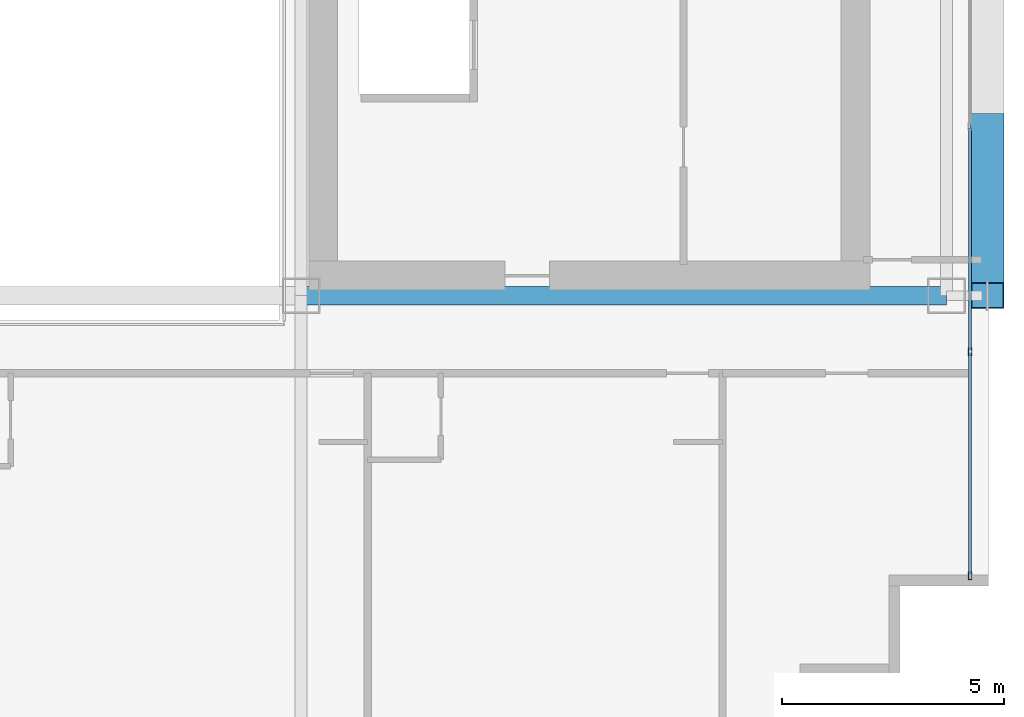
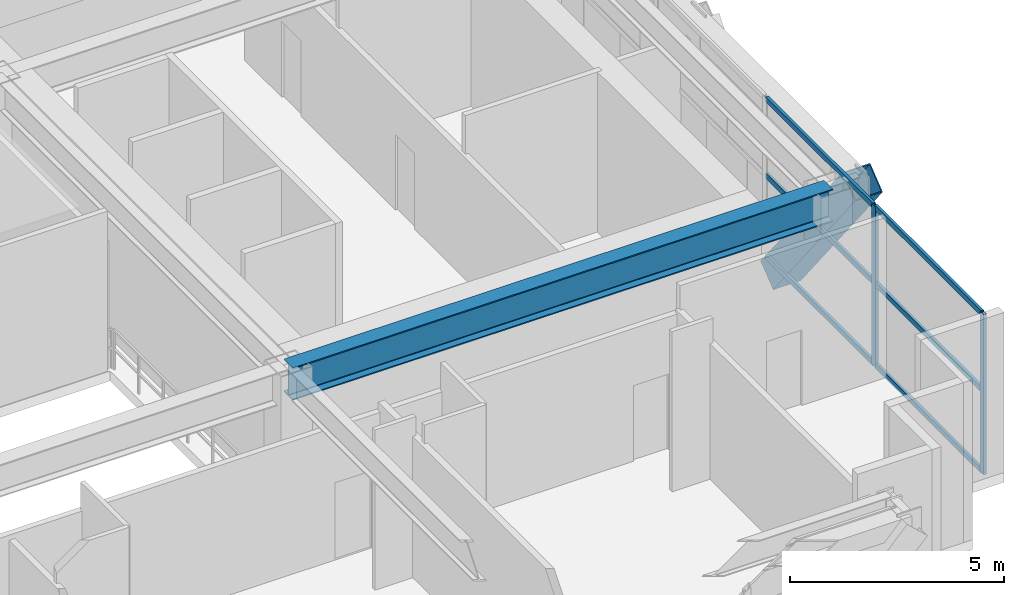
# One storey, part 12 of 38: 9 members, 1 beam, 1 element without a shape of its own.
"""IFC4 building model written with IfcOpenShell, lengths in metres."""

import ifcopenshell
import ifcopenshell.guid

model = None  # the IFC model being written
_history = None  # IfcOwnerHistory: only IFC2X3 demands one
_inside = {}  # id of a spatial element -> (the spatial element, [elements in it])
_under = {}  # id of a project, library or spatial element -> (it, [spatial elements below it])
_declared = {}  # id of a project -> (the project, [libraries it declares])
_typed = {}  # id of a type object -> (the type object, [elements of that type])
_made_of = {}  # id of a material, layer set ... -> (it, [elements and type objects made of it])


def new_model(schema):
    """Start an empty IFC model of exactly this schema.

    Asked for "IFC4X3", IfcOpenShell would pick the latest addendum, in which some entities
    have other attributes; the version numbers below select the first issue.
    IFC2X3 requires an IfcOwnerHistory on every rooted entity: one is made here for all.
    """
    global model, _history
    if schema == "IFC4X3":
        model = ifcopenshell.file(schema_version=(4, 3, 0, 0))
    else:
        model = ifcopenshell.file(schema=schema)
    _inside.clear()
    _under.clear()
    _declared.clear()
    _typed.clear()
    _made_of.clear()
    _history = None
    if model.schema == "IFC2X3":
        org = make("IfcOrganization", Name="unknown")
        user = make(
            "IfcPersonAndOrganization",
            ThePerson=make("IfcPerson", FamilyName="unknown"),
            TheOrganization=org,
        )
        app = make(
            "IfcApplication",
            ApplicationDeveloper=org,
            Version="unknown",
            ApplicationFullName="unknown",
            ApplicationIdentifier="unknown",
        )
        _history = make(
            "IfcOwnerHistory",
            OwningUser=user,
            OwningApplication=app,
            ChangeAction="ADDED",
            CreationDate=0,
        )
    return model


def make(cls, **values):
    """One entity of the class cls with the attributes given. An attribute that is None is left unset."""
    return model.create_entity(
        cls, **{name: value for name, value in values.items() if value is not None}
    )


def rooted(cls, **values):
    """An entity with a GlobalId (a new one), such as an element, a storey or a relation."""
    return make(cls, GlobalId=ifcopenshell.guid.new(), OwnerHistory=_history, **values)


def si_unit(unit_type, name, prefix=None):
    """IfcSIUnit, for example si_unit("LENGTHUNIT", "METRE", prefix="MILLI")."""
    return make("IfcSIUnit", UnitType=unit_type, Prefix=prefix, Name=name)


def assignment(units):
    """IfcUnitAssignment: the units of a project."""
    return None if units is None else make("IfcUnitAssignment", Units=units)


def point(xyz):
    """IfcCartesianPoint."""
    return None if xyz is None else make("IfcCartesianPoint", Coordinates=xyz)


def direction(xyz):
    """IfcDirection."""
    return None if xyz is None else make("IfcDirection", DirectionRatios=xyz)


def frame(location, z_axis=None, x_axis=None):
    """IfcAxis2Placement3D, a coordinate frame: its origin and axes. An axis left out is left unset."""
    return make(
        "IfcAxis2Placement3D",
        Location=point(location),
        Axis=direction(z_axis),
        RefDirection=direction(x_axis),
    )


def frame_2d(location, x_axis=None):
    """IfcAxis2Placement2D, a coordinate frame in the plane: its origin and x axis."""
    return make(
        "IfcAxis2Placement2D", Location=point(location), RefDirection=direction(x_axis)
    )


def origin():
    """The frame at (0, 0, 0) with its axes left unset."""
    return frame((0.0, 0.0, 0.0))


def origin_2d():
    """The frame at (0, 0) in the plane with its x axis left unset."""
    return frame_2d((0.0, 0.0))


def place(relative_to, where):
    """IfcLocalPlacement: puts the frame where relative to a parent placement (None: the world)."""
    return make(
        "IfcLocalPlacement", PlacementRelTo=relative_to, RelativePlacement=where
    )


def context(
    kind, dimensions, precision=None, world=None, true_north=None, identifier=None
):
    """IfcGeometricRepresentationContext, for example the 3D "Model" context."""
    return make(
        "IfcGeometricRepresentationContext",
        ContextIdentifier=identifier,
        ContextType=kind,
        CoordinateSpaceDimension=dimensions,
        Precision=precision,
        WorldCoordinateSystem=world,
        TrueNorth=true_north,
    )


def subcontext(parent, identifier, kind, view, scale=None):
    """IfcGeometricRepresentationSubContext, for example "Body" below "Model"."""
    return make(
        "IfcGeometricRepresentationSubContext",
        ContextIdentifier=identifier,
        ContextType=kind,
        ParentContext=parent,
        TargetScale=scale,
        TargetView=view,
    )


def project(units=None, contexts=None):
    """IfcProject with its units and contexts."""
    return rooted(
        "IfcProject",
        Name="project",
        RepresentationContexts=contexts,
        UnitsInContext=assignment(units),
    )


def spatial(cls, under=None, at=None, **own):
    """A site, building, storey or space (cls), placed at a placement, below another one or the project."""
    s = rooted(cls, ObjectPlacement=at, **own)
    if under is not None:
        _under.setdefault(under.id(), (under, []))[1].append(s)
    return s


def profile(cls, at=None, kind="AREA", **sizes):
    """A parametric profile (cls). Its sizes go by their IFC names, for example OverallWidth=200.0."""
    return make(cls, ProfileType=kind, Position=at, **sizes)


def hollow_rectangle(**sizes):
    """IfcRectangleHollowProfileDef."""
    return profile("IfcRectangleHollowProfileDef", **sizes)


def i_section(**sizes):
    """IfcIShapeProfileDef."""
    return profile("IfcIShapeProfileDef", **sizes)


def extrude(swept, where, along, depth):
    """IfcExtrudedAreaSolid: the profile swept, set in the frame where, extruded along a direction by depth."""
    return make(
        "IfcExtrudedAreaSolid",
        SweptArea=swept,
        Position=where,
        ExtrudedDirection=direction(along),
        Depth=depth,
    )


def shape(context_of_items, identifier, shape_type, items):
    """IfcShapeRepresentation: the items that make up one representation, for example the "Body"."""
    return make(
        "IfcShapeRepresentation",
        ContextOfItems=context_of_items,
        RepresentationIdentifier=identifier,
        RepresentationType=shape_type,
        Items=items,
    )


def source(mapping_origin, context_of_items, identifier, shape_type, items):
    """IfcRepresentationMap: a shape defined once, which mapped items show again and again."""
    return make(
        "IfcRepresentationMap",
        MappingOrigin=mapping_origin,
        MappedRepresentation=shape(context_of_items, identifier, shape_type, items),
    )


def transform(
    local_origin,
    x_axis=None,
    y_axis=None,
    z_axis=None,
    scale=None,
    scale2=None,
    scale3=None,
    uniform=True,
):
    """IfcCartesianTransformationOperator3D, or its non-uniform kind. x_axis, y_axis, z_axis: its Axis1, 2, 3."""
    if uniform:
        return make(
            "IfcCartesianTransformationOperator3D",
            Axis1=direction(x_axis),
            Axis2=direction(y_axis),
            LocalOrigin=point(local_origin),
            Scale=scale,
            Axis3=direction(z_axis),
        )
    return make(
        "IfcCartesianTransformationOperator3DnonUniform",
        Axis1=direction(x_axis),
        Axis2=direction(y_axis),
        LocalOrigin=point(local_origin),
        Scale=scale,
        Axis3=direction(z_axis),
        Scale2=scale2,
        Scale3=scale3,
    )


def mapped(mapping_source, mapping_target):
    """IfcMappedItem: shows the shape of a source again, moved by a transform."""
    return make(
        "IfcMappedItem", MappingSource=mapping_source, MappingTarget=mapping_target
    )


def material(Name=None, Category=None):
    """IfcMaterial."""
    return make("IfcMaterial", Name=Name, Category=Category)


def layer(
    of_material, thickness, ventilated=None, Name=None, Category=None, Priority=None
):
    """IfcMaterialLayer: one layer of a wall or slab, of a material (None: an air gap)."""
    return make(
        "IfcMaterialLayer",
        Material=of_material,
        LayerThickness=thickness,
        IsVentilated=ventilated,
        Name=Name,
        Category=Category,
        Priority=Priority,
    )


def layer_set(layers, Name=None):
    """IfcMaterialLayerSet."""
    return make("IfcMaterialLayerSet", MaterialLayers=layers, LayerSetName=Name)


def material_profile(
    of_material, cross_section, Name=None, Category=None, Priority=None
):
    """IfcMaterialProfile: a cross section and its material."""
    return make(
        "IfcMaterialProfile",
        Name=Name,
        Material=of_material,
        Profile=cross_section,
        Priority=Priority,
        Category=Category,
    )


def profile_set(profiles, Name=None, composite=None):
    """IfcMaterialProfileSet."""
    return make(
        "IfcMaterialProfileSet",
        Name=Name,
        MaterialProfiles=profiles,
        CompositeProfile=composite,
    )


def made_of(thing, what):
    """Note that an element or type object is made of a material, layer set ...; save() writes the relation."""
    if what is not None:
        _made_of.setdefault(what.id(), (what, []))[1].append(thing)
    return thing


def type_object(cls, material=None, **own):
    """A type object (cls), such as IfcWallType, which elements share."""
    return made_of(rooted(cls, **own), material)


def element(
    cls,
    number,
    at=None,
    inside=None,
    cuts=None,
    type_object=None,
    material=None,
    context=None,
    identifier="Body",
    shape_type=None,
    held_by="IfcProductDefinitionShape",
    body=None,
    shapes=None,
    **own,
):
    """One element of the class cls, such as IfcWall. Its Tag is "e" and its number.

    at: its placement. inside: the storey or other place that contains it. cuts: it is an
    opening in that element (IfcRelVoidsElement). A single representation is given by context,
    identifier, shape_type and body (its items); several are given by shapes. held_by: the class
    of the entity that holds the representations. save() writes the other relations.
    """
    e = rooted(cls, Tag="e%d" % number, ObjectPlacement=at, **own)
    if body is not None:
        shapes = [shape(context, identifier, shape_type, body)]
    if shapes is not None:
        e.Representation = make(held_by, Representations=shapes)
    if inside is not None:
        _inside.setdefault(inside.id(), (inside, []))[1].append(e)
    if cuts is not None:
        rooted(
            "IfcRelVoidsElement", RelatingBuildingElement=cuts, RelatedOpeningElement=e
        )
    if type_object is not None:
        _typed.setdefault(type_object.id(), (type_object, []))[1].append(e)
    return made_of(e, material)


def aggregate(whole, parts):
    """IfcRelAggregates: a whole, such as a stair, and the parts it consists of."""
    return rooted("IfcRelAggregates", RelatingObject=whole, RelatedObjects=parts)


def save(model, path):
    """Write the relations noted so far, then the file.

    IfcRelAggregates (storeys below a building ...), IfcRelContainedInSpatialStructure (elements
    in a storey), IfcRelDefinesByType, IfcRelAssociatesMaterial and IfcRelDeclares: one each for
    every whole, place, type object, material and project.
    """
    for whole, parts in _under.values():
        aggregate(whole, parts)
    for where, things in _inside.values():
        rooted(
            "IfcRelContainedInSpatialStructure",
            RelatedElements=things,
            RelatingStructure=where,
        )
    for kind, things in _typed.values():
        rooted("IfcRelDefinesByType", RelatedObjects=things, RelatingType=kind)
    for what, things in _made_of.values():
        rooted("IfcRelAssociatesMaterial", RelatedObjects=things, RelatingMaterial=what)
    for by, libraries in _declared.values():
        rooted("IfcRelDeclares", RelatingContext=by, RelatedDefinitions=libraries)
    model.write(path)


model = new_model("IFC4")

# Units and contexts
model_context = context("Model", 3, precision=1e-05, world=origin(), true_north=direction((0.0, 1.0)))
body_context = subcontext(model_context, "Body", "Model", "MODEL_VIEW")
ifc_project = project(units=[si_unit("LENGTHUNIT", "METRE"), si_unit("AREAUNIT", "SQUARE_METRE"), si_unit("VOLUMEUNIT", "CUBIC_METRE"), si_unit("PLANEANGLEUNIT", "RADIAN"), si_unit("MASSUNIT", "GRAM", prefix="KILO")], contexts=[model_context])

# Site, building, storey
site_placement = place(None, origin())
site = spatial("IfcSite", under=ifc_project, at=site_placement, CompositionType="ELEMENT")
building_placement = place(site_placement, origin())
building = spatial("IfcBuilding", under=site, at=building_placement, Name="Ocotamira Hotel", CompositionType="ELEMENT")
storey_placement = place(building_placement, frame((0.0, 0.0, 92.39990234375)))
storey = spatial("IfcBuildingStorey", under=building, at=storey_placement, Name="L22", CompositionType="ELEMENT", Elevation=92.39990234375)

# Beam
ifc_material_1 = material(Name="Steel ASTM A992 Grade 50", Category="steel")
ifc_material_profile_1 = material_profile(ifc_material_1, i_section(OverallWidth=0.41796875, OverallDepth=0.927001953125, WebThickness=0.019287109375, FlangeThickness=0.031982421875, FilletRadius=0.02392578125, at=origin_2d()), Name="W36X231")
ifc_profile_set_1 = profile_set([ifc_material_profile_1], Name="Steel ASTM A992 Grade 50")
beam_type = type_object("IfcBeamType", Name="BM-GIRD-W36X231", PredefinedType="BEAM", material=ifc_profile_set_1)
shared_shape_1 = source(origin(), body_context, "Body", "SweptSolid", [
    extrude(i_section(OverallWidth=0.41796875, OverallDepth=0.927001953125, WebThickness=0.019287109375, FlangeThickness=0.031982421875, FilletRadius=0.02392578125, at=origin_2d()), origin(), (0.0, 0.0, 1.0), 14.550048828125),
])
beam_placement = place(storey_placement, frame((40.5, 14.550048828125, 4.0966796875), z_axis=(1.0, 0.0, 0.0), x_axis=(0.0, 1.0, 0.0)))
element("IfcBeam", 1, at=beam_placement, inside=storey, type_object=beam_type, Name="L22 Girder Y14.55 X40.5-55.05", PredefinedType="BEAM", context=body_context, shape_type="MappedRepresentation", body=[
    mapped(shared_shape_1, transform((0.0, 0.0, 0.0), scale=1.0)),
])

# Member
ifc_material_2 = material(Name="Pale-metal coated steel ASTM A913 Grade 65", Category="steel")
ifc_material_profile_2 = material_profile(ifc_material_2, hollow_rectangle(XDim=0.75, YDim=0.75, WallThickness=0.028076171875, at=origin_2d()), Name="BOX750X750X28")
ifc_profile_set_2 = profile_set([ifc_material_profile_2], Name="Pale-metal coated steel ASTM A913 Grade 65")
member_type_1 = type_object("IfcMemberType", Name="MEM-EXO-BOX750", PredefinedType="BRACE", material=ifc_profile_set_2)
shared_shape_2 = source(origin(), body_context, "Body", "SweptSolid", [
    extrude(hollow_rectangle(XDim=0.75, YDim=0.75, WallThickness=0.028076171875, at=origin_2d()), origin(), (0.0, 0.0, 1.0), 6.16357421875),
])
member_1_placement = place(storey_placement, frame((55.969970703125, 18.36669921875, -0.52978515625), z_axis=(0.0, -0.619216534821, 0.785220276741), x_axis=(1.0, 0.0, 0.0)))
element("IfcMember", 2, at=member_1_placement, inside=storey, type_object=member_type_1, Name="L22 Exoskeleton Diagrid E0.1", PredefinedType="BRACE", context=body_context, shape_type="MappedRepresentation", body=[
    mapped(shared_shape_2, transform((0.0, 0.0, 0.0), scale=1.0)),
])

# Curtain wall, members
ifc_material_3 = material(Name="Anodised pale-metal aluminium and solar glass", Category="aluminium")
ifc_layer = layer(ifc_material_3, 0.239990234375)
ifc_layer_set = layer_set([ifc_layer], Name="Anodised pale-metal aluminium and solar glass")
curtain_wall_type = type_object("IfcCurtainWallType", Name="CW-SYS5-SKY", PredefinedType="NOTDEFINED", material=ifc_layer_set)
curtain_wall_placement = place(storey_placement, origin())
curtain_wall = element("IfcCurtainWall", 3, at=curtain_wall_placement, inside=storey, type_object=curtain_wall_type, Name="L22 Curtain Wall CW-5 CW-L22-E", PredefinedType="NOTDEFINED")
ifc_material_4 = material(Name="Anodised pale-metal aluminium 6063-T6", Category="aluminium")
ifc_material_profile_3 = material_profile(ifc_material_4, hollow_rectangle(XDim=0.074951171875, YDim=0.14990234375, WallThickness=0.006103515625, at=origin_2d()), Name="HSS150X75X6")
ifc_profile_set_3 = profile_set([ifc_material_profile_3], Name="Anodised pale-metal aluminium 6063-T6")
member_type_2 = type_object("IfcMemberType", Name="CWT-150X75", PredefinedType="USERDEFINED", material=ifc_profile_set_3)
shared_shape_3 = source(origin(), body_context, "Body", "SweptSolid", [
    extrude(hollow_rectangle(XDim=0.074951171875, YDim=0.14990234375, WallThickness=0.006103515625, at=origin_2d()), origin(), (0.0, 0.0, 1.0), 4.965576171875),
])
member_2_placement = place(storey_placement, frame((55.580078125, 8.280029296875, 0.03759765625), z_axis=(0.0, 1.0, 0.0), x_axis=(-1.0, 0.0, 0.0)))
member_2 = element("IfcMember", 4, at=member_2_placement, type_object=member_type_2, Name="CW-5 transom 1.1", ObjectType="TRANSOM", PredefinedType="USERDEFINED", context=body_context, shape_type="MappedRepresentation", body=[
    mapped(shared_shape_3, transform((0.0, 0.0, 0.0), scale=1.0)),
])
member_3_placement = place(storey_placement, frame((55.580078125, 8.280029296875, 2.35009765625), z_axis=(0.0, 1.0, 0.0), x_axis=(-1.0, 0.0, 0.0)))
member_3 = element("IfcMember", 5, at=member_3_placement, type_object=member_type_2, Name="CW-5 transom 1.2", ObjectType="TRANSOM", PredefinedType="USERDEFINED", context=body_context, shape_type="MappedRepresentation", body=[
    mapped(shared_shape_3, transform((0.0, 0.0, 0.0), scale=1.0)),
])
member_4_placement = place(storey_placement, frame((55.580078125, 8.280029296875, 4.522705078125), z_axis=(0.0, 1.0, 0.0), x_axis=(-1.0, 0.0, 0.0)))
member_4 = element("IfcMember", 6, at=member_4_placement, type_object=member_type_2, Name="CW-5 transom 1.3", ObjectType="TRANSOM", PredefinedType="USERDEFINED", context=body_context, shape_type="MappedRepresentation", body=[
    mapped(shared_shape_3, transform((0.0, 0.0, 0.0), scale=1.0)),
])
shared_shape_4 = source(origin(), body_context, "Body", "SweptSolid", [
    extrude(hollow_rectangle(XDim=0.074951171875, YDim=0.14990234375, WallThickness=0.006103515625, at=origin_2d()), origin(), (0.0, 0.0, 1.0), 5.005859375),
])
member_5_placement = place(storey_placement, frame((55.580078125, 13.32568359375, 0.03759765625), z_axis=(0.0, 1.0, 0.0), x_axis=(-1.0, 0.0, 0.0)))
member_5 = element("IfcMember", 7, at=member_5_placement, type_object=member_type_2, Name="CW-5 transom 2.1", ObjectType="TRANSOM", PredefinedType="USERDEFINED", context=body_context, shape_type="MappedRepresentation", body=[
    mapped(shared_shape_4, transform((0.0, 0.0, 0.0), scale=1.0)),
])
member_6_placement = place(storey_placement, frame((55.580078125, 13.32568359375, 2.35009765625), z_axis=(0.0, 1.0, 0.0), x_axis=(-1.0, 0.0, 0.0)))
member_6 = element("IfcMember", 8, at=member_6_placement, type_object=member_type_2, Name="CW-5 transom 2.2", ObjectType="TRANSOM", PredefinedType="USERDEFINED", context=body_context, shape_type="MappedRepresentation", body=[
    mapped(shared_shape_4, transform((0.0, 0.0, 0.0), scale=1.0)),
])
member_7_placement = place(storey_placement, frame((55.580078125, 13.32568359375, 4.522705078125), z_axis=(0.0, 1.0, 0.0), x_axis=(-1.0, 0.0, 0.0)))
member_7 = element("IfcMember", 9, at=member_7_placement, type_object=member_type_2, Name="CW-5 transom 2.3", ObjectType="TRANSOM", PredefinedType="USERDEFINED", context=body_context, shape_type="MappedRepresentation", body=[
    mapped(shared_shape_4, transform((0.0, 0.0, 0.0), scale=1.0)),
])
ifc_material_profile_4 = material_profile(ifc_material_4, hollow_rectangle(XDim=0.080078125, YDim=0.179931640625, WallThickness=0.006103515625, at=origin_2d()), Name="HSS180X80X6")
ifc_profile_set_4 = profile_set([ifc_material_profile_4], Name="Anodised pale-metal aluminium 6063-T6")
member_type_3 = type_object("IfcMemberType", Name="CWM-180X75", PredefinedType="MULLION", material=ifc_profile_set_4)
shared_shape_5 = source(origin(), body_context, "Body", "SweptSolid", [
    extrude(hollow_rectangle(XDim=0.080078125, YDim=0.179931640625, WallThickness=0.006103515625, at=origin_2d()), origin(), (0.0, 0.0, 1.0), 4.56005859375),
])
member_8_placement = place(storey_placement, frame((55.580078125, 8.239990234375, 0.0), z_axis=(0.0, 0.0, 1.0), x_axis=(-1.0, 0.0, 0.0)))
member_8 = element("IfcMember", 10, at=member_8_placement, type_object=member_type_3, Name="CW-5 mullion 1", PredefinedType="MULLION", context=body_context, shape_type="MappedRepresentation", body=[
    mapped(shared_shape_5, transform((0.0, 0.0, 0.0), scale=1.0)),
])
member_9_placement = place(storey_placement, frame((55.580078125, 13.28564453125, 0.0), z_axis=(0.0, 0.0, 1.0), x_axis=(-1.0, 0.0, 0.0)))
member_9 = element("IfcMember", 11, at=member_9_placement, type_object=member_type_3, Name="CW-5 mullion 2", PredefinedType="MULLION", context=body_context, shape_type="MappedRepresentation", body=[
    mapped(shared_shape_5, transform((0.0, 0.0, 0.0), scale=1.0)),
])
aggregate(curtain_wall, [member_8, member_9, member_2, member_3, member_4, member_5, member_6, member_7])

save(model, "model.ifc")
